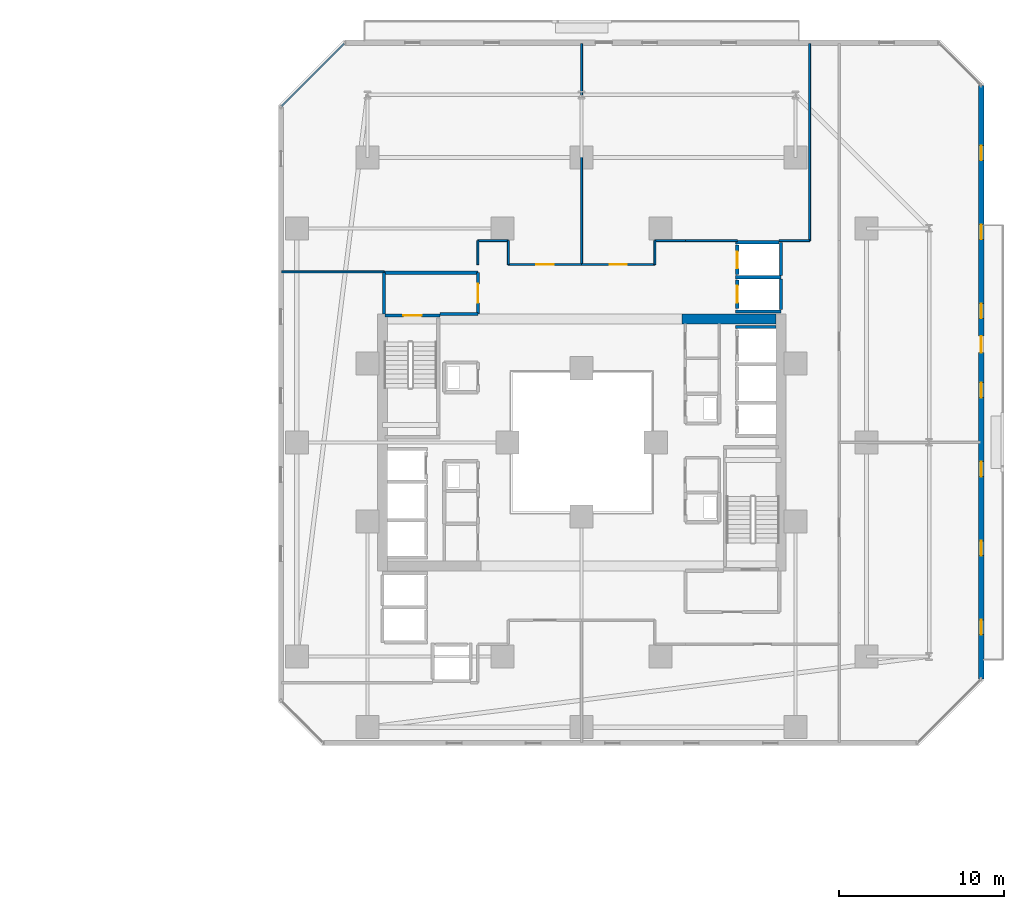
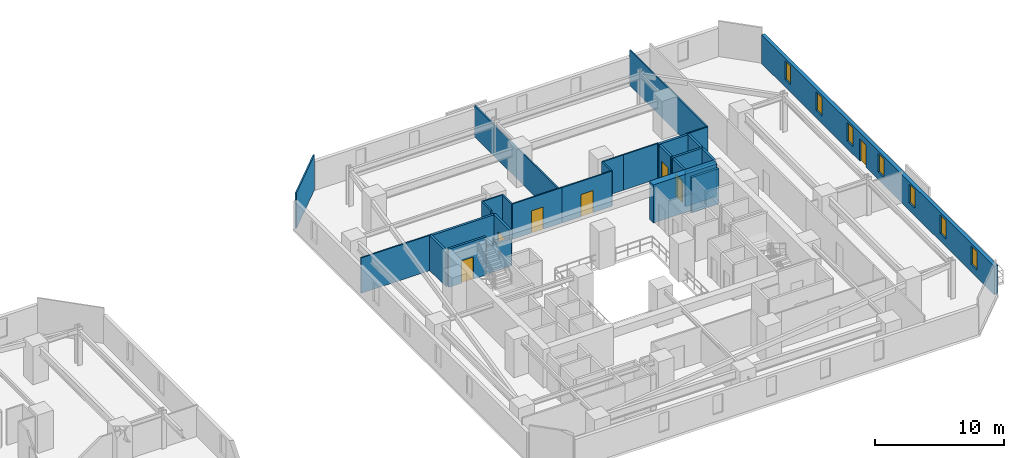
# One storey, part 26 of 34: 28 walls, 7 doors, 7 windows, 14 openings.
"""IFC4 building model written with IfcOpenShell, lengths in metres."""

import ifcopenshell
import ifcopenshell.guid

model = None  # the IFC model being written
_history = None  # IfcOwnerHistory: only IFC2X3 demands one
_inside = {}  # id of a spatial element -> (the spatial element, [elements in it])
_under = {}  # id of a project, library or spatial element -> (it, [spatial elements below it])
_declared = {}  # id of a project -> (the project, [libraries it declares])
_typed = {}  # id of a type object -> (the type object, [elements of that type])
_made_of = {}  # id of a material, layer set ... -> (it, [elements and type objects made of it])


def new_model(schema):
    """Start an empty IFC model of exactly this schema.

    Asked for "IFC4X3", IfcOpenShell would pick the latest addendum, in which some entities
    have other attributes; the version numbers below select the first issue.
    IFC2X3 requires an IfcOwnerHistory on every rooted entity: one is made here for all.
    """
    global model, _history
    if schema == "IFC4X3":
        model = ifcopenshell.file(schema_version=(4, 3, 0, 0))
    else:
        model = ifcopenshell.file(schema=schema)
    _inside.clear()
    _under.clear()
    _declared.clear()
    _typed.clear()
    _made_of.clear()
    _history = None
    if model.schema == "IFC2X3":
        org = make("IfcOrganization", Name="unknown")
        user = make(
            "IfcPersonAndOrganization",
            ThePerson=make("IfcPerson", FamilyName="unknown"),
            TheOrganization=org,
        )
        app = make(
            "IfcApplication",
            ApplicationDeveloper=org,
            Version="unknown",
            ApplicationFullName="unknown",
            ApplicationIdentifier="unknown",
        )
        _history = make(
            "IfcOwnerHistory",
            OwningUser=user,
            OwningApplication=app,
            ChangeAction="ADDED",
            CreationDate=0,
        )
    return model


def make(cls, **values):
    """One entity of the class cls with the attributes given. An attribute that is None is left unset."""
    return model.create_entity(
        cls, **{name: value for name, value in values.items() if value is not None}
    )


def rooted(cls, **values):
    """An entity with a GlobalId (a new one), such as an element, a storey or a relation."""
    return make(cls, GlobalId=ifcopenshell.guid.new(), OwnerHistory=_history, **values)


def si_unit(unit_type, name, prefix=None):
    """IfcSIUnit, for example si_unit("LENGTHUNIT", "METRE", prefix="MILLI")."""
    return make("IfcSIUnit", UnitType=unit_type, Prefix=prefix, Name=name)


def assignment(units):
    """IfcUnitAssignment: the units of a project."""
    return None if units is None else make("IfcUnitAssignment", Units=units)


def point(xyz):
    """IfcCartesianPoint."""
    return None if xyz is None else make("IfcCartesianPoint", Coordinates=xyz)


def direction(xyz):
    """IfcDirection."""
    return None if xyz is None else make("IfcDirection", DirectionRatios=xyz)


def frame(location, z_axis=None, x_axis=None):
    """IfcAxis2Placement3D, a coordinate frame: its origin and axes. An axis left out is left unset."""
    return make(
        "IfcAxis2Placement3D",
        Location=point(location),
        Axis=direction(z_axis),
        RefDirection=direction(x_axis),
    )


def frame_2d(location, x_axis=None):
    """IfcAxis2Placement2D, a coordinate frame in the plane: its origin and x axis."""
    return make(
        "IfcAxis2Placement2D", Location=point(location), RefDirection=direction(x_axis)
    )


def origin():
    """The frame at (0, 0, 0) with its axes left unset."""
    return frame((0.0, 0.0, 0.0))


def place(relative_to, where):
    """IfcLocalPlacement: puts the frame where relative to a parent placement (None: the world)."""
    return make(
        "IfcLocalPlacement", PlacementRelTo=relative_to, RelativePlacement=where
    )


def context(
    kind, dimensions, precision=None, world=None, true_north=None, identifier=None
):
    """IfcGeometricRepresentationContext, for example the 3D "Model" context."""
    return make(
        "IfcGeometricRepresentationContext",
        ContextIdentifier=identifier,
        ContextType=kind,
        CoordinateSpaceDimension=dimensions,
        Precision=precision,
        WorldCoordinateSystem=world,
        TrueNorth=true_north,
    )


def subcontext(parent, identifier, kind, view, scale=None):
    """IfcGeometricRepresentationSubContext, for example "Body" below "Model"."""
    return make(
        "IfcGeometricRepresentationSubContext",
        ContextIdentifier=identifier,
        ContextType=kind,
        ParentContext=parent,
        TargetScale=scale,
        TargetView=view,
    )


def project(units=None, contexts=None):
    """IfcProject with its units and contexts."""
    return rooted(
        "IfcProject",
        Name="project",
        RepresentationContexts=contexts,
        UnitsInContext=assignment(units),
    )


def spatial(cls, under=None, at=None, **own):
    """A site, building, storey or space (cls), placed at a placement, below another one or the project."""
    s = rooted(cls, ObjectPlacement=at, **own)
    if under is not None:
        _under.setdefault(under.id(), (under, []))[1].append(s)
    return s


def profile(cls, at=None, kind="AREA", **sizes):
    """A parametric profile (cls). Its sizes go by their IFC names, for example OverallWidth=200.0."""
    return make(cls, ProfileType=kind, Position=at, **sizes)


def rectangle(**sizes):
    """IfcRectangleProfileDef."""
    return profile("IfcRectangleProfileDef", **sizes)


def extrude(swept, where, along, depth):
    """IfcExtrudedAreaSolid: the profile swept, set in the frame where, extruded along a direction by depth."""
    return make(
        "IfcExtrudedAreaSolid",
        SweptArea=swept,
        Position=where,
        ExtrudedDirection=direction(along),
        Depth=depth,
    )


def shape(context_of_items, identifier, shape_type, items):
    """IfcShapeRepresentation: the items that make up one representation, for example the "Body"."""
    return make(
        "IfcShapeRepresentation",
        ContextOfItems=context_of_items,
        RepresentationIdentifier=identifier,
        RepresentationType=shape_type,
        Items=items,
    )


def material(Name=None, Category=None):
    """IfcMaterial."""
    return make("IfcMaterial", Name=Name, Category=Category)


def layer(
    of_material, thickness, ventilated=None, Name=None, Category=None, Priority=None
):
    """IfcMaterialLayer: one layer of a wall or slab, of a material (None: an air gap)."""
    return make(
        "IfcMaterialLayer",
        Material=of_material,
        LayerThickness=thickness,
        IsVentilated=ventilated,
        Name=Name,
        Category=Category,
        Priority=Priority,
    )


def layer_set(layers, Name=None):
    """IfcMaterialLayerSet."""
    return make("IfcMaterialLayerSet", MaterialLayers=layers, LayerSetName=Name)


def made_of(thing, what):
    """Note that an element or type object is made of a material, layer set ...; save() writes the relation."""
    if what is not None:
        _made_of.setdefault(what.id(), (what, []))[1].append(thing)
    return thing


def type_object(cls, material=None, **own):
    """A type object (cls), such as IfcWallType, which elements share."""
    return made_of(rooted(cls, **own), material)


def element(
    cls,
    number,
    at=None,
    inside=None,
    cuts=None,
    type_object=None,
    material=None,
    context=None,
    identifier="Body",
    shape_type=None,
    held_by="IfcProductDefinitionShape",
    body=None,
    shapes=None,
    **own,
):
    """One element of the class cls, such as IfcWall. Its Tag is "e" and its number.

    at: its placement. inside: the storey or other place that contains it. cuts: it is an
    opening in that element (IfcRelVoidsElement). A single representation is given by context,
    identifier, shape_type and body (its items); several are given by shapes. held_by: the class
    of the entity that holds the representations. save() writes the other relations.
    """
    e = rooted(cls, Tag="e%d" % number, ObjectPlacement=at, **own)
    if body is not None:
        shapes = [shape(context, identifier, shape_type, body)]
    if shapes is not None:
        e.Representation = make(held_by, Representations=shapes)
    if inside is not None:
        _inside.setdefault(inside.id(), (inside, []))[1].append(e)
    if cuts is not None:
        rooted(
            "IfcRelVoidsElement", RelatingBuildingElement=cuts, RelatedOpeningElement=e
        )
    if type_object is not None:
        _typed.setdefault(type_object.id(), (type_object, []))[1].append(e)
    return made_of(e, material)


def fill(opening, filler):
    """IfcRelFillsElement: the door or window that sits in an opening."""
    return rooted(
        "IfcRelFillsElement",
        RelatingOpeningElement=opening,
        RelatedBuildingElement=filler,
    )


def aggregate(whole, parts):
    """IfcRelAggregates: a whole, such as a stair, and the parts it consists of."""
    return rooted("IfcRelAggregates", RelatingObject=whole, RelatedObjects=parts)


def save(model, path):
    """Write the relations noted so far, then the file.

    IfcRelAggregates (storeys below a building ...), IfcRelContainedInSpatialStructure (elements
    in a storey), IfcRelDefinesByType, IfcRelAssociatesMaterial and IfcRelDeclares: one each for
    every whole, place, type object, material and project.
    """
    for whole, parts in _under.values():
        aggregate(whole, parts)
    for where, things in _inside.values():
        rooted(
            "IfcRelContainedInSpatialStructure",
            RelatedElements=things,
            RelatingStructure=where,
        )
    for kind, things in _typed.values():
        rooted("IfcRelDefinesByType", RelatedObjects=things, RelatingType=kind)
    for what, things in _made_of.values():
        rooted("IfcRelAssociatesMaterial", RelatedObjects=things, RelatingMaterial=what)
    for by, libraries in _declared.values():
        rooted("IfcRelDeclares", RelatingContext=by, RelatedDefinitions=libraries)
    model.write(path)


model = new_model("IFC4")

# Units and contexts
model_context = context("Model", 3, precision=1e-05, world=origin(), true_north=direction((0.0, 1.0)))
body_context = subcontext(model_context, "Body", "Model", "MODEL_VIEW")
ifc_project = project(units=[si_unit("LENGTHUNIT", "METRE"), si_unit("AREAUNIT", "SQUARE_METRE"), si_unit("VOLUMEUNIT", "CUBIC_METRE"), si_unit("PLANEANGLEUNIT", "RADIAN"), si_unit("MASSUNIT", "GRAM", prefix="KILO")], contexts=[model_context])

# Site, building, storey
site_placement = place(None, origin())
site = spatial("IfcSite", under=ifc_project, at=site_placement, CompositionType="ELEMENT")
building_placement = place(site_placement, origin())
building = spatial("IfcBuilding", under=site, at=building_placement, Name="Thornwick Lancets Civic Towers", CompositionType="ELEMENT")
storey_placement = place(building_placement, frame((0.0, 0.0, 53.699951171875)))
storey = spatial("IfcBuildingStorey", under=building, at=storey_placement, Name="L13", CompositionType="ELEMENT", Elevation=53.699951171875)

# Wall, opening, door
ifc_material_1 = material(Name="Concrete blockwork C40/50", Category="masonry")
ifc_layer_1 = layer(ifc_material_1, 0.199951171875, Name="Concrete blockwork C40/50")
ifc_layer_set_1 = layer_set([ifc_layer_1], Name="Concrete blockwork C40/50")
wall_type_1 = type_object("IfcWallType", Name="WALL_COMP_200", PredefinedType="STANDARD", material=ifc_layer_set_1)
wall_1_placement = place(storey_placement, frame((97.949951171875, 36.8701171875, 0.0), z_axis=(0.0, 0.0, 1.0), x_axis=(0.0, -1.0, 0.0)))
wall_1 = element("IfcWall", 1, at=wall_1_placement, inside=storey, type_object=wall_type_1, Name="L13 Hoistway Front Wall PL-BL2", PredefinedType="STANDARD", context=body_context, shape_type="SweptSolid", body=[
    extrude(rectangle(XDim=1.740234375, YDim=0.199951171875, at=frame_2d((0.8701171875, 0.0))), origin(), (0.0, 0.0, 1.0), 3.340087890625),
])
opening_1_placement = place(wall_1_placement, frame((0.360107421875, 0.0, 0.0)))
opening_1 = element("IfcOpeningElement", 2, at=opening_1_placement, cuts=wall_1, Name="Opening LD-PL-BL2", PredefinedType="OPENING", context=body_context, shape_type="SweptSolid", body=[
    extrude(rectangle(XDim=1.02001953125, YDim=2.06005859375, at=frame_2d((0.510009765625, 1.030029296875))), frame((0.0, 0.10986328125, 0.0), z_axis=(0.0, -1.0, 0.0), x_axis=(1.0, 0.0, 0.0)), (0.0, 0.0, 1.0), 0.219970703125),
])
ifc_material_2 = material(Name="Brushed bronze stainless steel", Category="steel")
door_type_1 = type_object("IfcDoorType", Name="DOOR_LIFT_SLIDE", OperationType="SLIDING_TO_LEFT", PredefinedType="DOOR", material=ifc_material_2)
door_1_placement = place(opening_1_placement, origin())
door_1 = element("IfcDoor", 3, at=door_1_placement, inside=storey, type_object=door_type_1, Name="L13 Sliding Lift Landing Door LD-PL-BL2", OperationType="SLIDING_TO_LEFT", OverallHeight=2.06005859375, OverallWidth=1.02001953125, PredefinedType="DOOR", context=body_context, shape_type="SweptSolid", body=[
    extrude(rectangle(XDim=1.02001953125, YDim=2.06005859375, at=frame_2d((0.510009765625, 1.030029296875))), frame((0.0, 0.02490234375, 0.0), z_axis=(0.0, -1.0, 0.0), x_axis=(1.0, 0.0, 0.0)), (0.0, 0.0, 1.0), 0.050048828125),
])
fill(opening_1, door_1)

wall_2_placement = place(storey_placement, frame((97.949951171875, 38.969970703125, 0.0), z_axis=(0.0, 0.0, 1.0), x_axis=(0.0, -1.0, 0.0)))
wall_2 = element("IfcWall", 4, at=wall_2_placement, inside=storey, type_object=wall_type_1, Name="L13 Hoistway Front Wall PL-BL3", PredefinedType="STANDARD", context=body_context, shape_type="SweptSolid", body=[
    extrude(rectangle(XDim=1.7900390625, YDim=0.199951171875, at=frame_2d((0.89501953125, 0.0))), origin(), (0.0, 0.0, 1.0), 3.340087890625),
])
opening_2_placement = place(wall_2_placement, frame((0.385009765625, 0.0, 0.0)))
opening_2 = element("IfcOpeningElement", 5, at=opening_2_placement, cuts=wall_2, Name="Opening LD-PL-BL3", PredefinedType="OPENING", context=body_context, shape_type="SweptSolid", body=[
    extrude(rectangle(XDim=1.02001953125, YDim=2.06005859375, at=frame_2d((0.510009765625, 1.030029296875))), frame((0.0, 0.10986328125, 0.0), z_axis=(0.0, -1.0, 0.0), x_axis=(1.0, 0.0, 0.0)), (0.0, 0.0, 1.0), 0.219970703125),
])
door_2_placement = place(opening_2_placement, origin())
door_2 = element("IfcDoor", 6, at=door_2_placement, inside=storey, type_object=door_type_1, Name="L13 Sliding Lift Landing Door LD-PL-BL3", OperationType="SLIDING_TO_LEFT", OverallHeight=2.06005859375, OverallWidth=1.02001953125, PredefinedType="DOOR", context=body_context, shape_type="SweptSolid", body=[
    extrude(rectangle(XDim=1.02001953125, YDim=2.06005859375, at=frame_2d((0.510009765625, 1.030029296875))), frame((0.0, 0.02490234375, 0.0), z_axis=(0.0, -1.0, 0.0), x_axis=(1.0, 0.0, 0.0)), (0.0, 0.0, 1.0), 0.050048828125),
])
fill(opening_2, door_2)

# Walls
wall_3_placement = place(storey_placement, frame((97.85205078125, 34.0, 0.0), z_axis=(0.0, 0.0, 1.0), x_axis=(1.0, 0.0, 0.0)))
element("IfcWall", 7, at=wall_3_placement, inside=storey, type_object=wall_type_1, Name="L13 Hoistway Shaft Wall PL-BL1 N", PredefinedType="STANDARD", context=body_context, shape_type="SweptSolid", body=[
    extrude(rectangle(XDim=2.43603515625, YDim=0.199951171875, at=frame_2d((1.218017578125, 0.0))), origin(), (0.0, 0.0, 1.0), 3.340087890625),
])
for number, where, z_axis, x_axis, name in (
    (8, (97.85205078125, 37.02490234375, 0.0), (0.0, 0.0, 1.0), (1.0, 0.0, 0.0), "L13 Hoistway Shaft Wall PL-BL2 N"),
    (9, (97.85205078125, 34.949951171875, 0.0), (0.0, 0.0, 1.0), (1.0, 0.0, 0.0), "L13 Hoistway Shaft Wall PL-BL2 S"),
):
    element("IfcWall", number, at=place(storey_placement, frame(where, z_axis=z_axis, x_axis=x_axis)), inside=storey, type_object=wall_type_1, Name=name, PredefinedType="STANDARD", context=body_context, shape_type="SweptSolid", body=[
        extrude(rectangle(XDim=2.745849609375, YDim=0.199951171875, at=frame_2d((1.373046875, 0.0))), origin(), (0.0, 0.0, 1.0), 3.340087890625),
    ])
wall_4_placement = place(storey_placement, frame((100.60009765625, 35.06201171875, 0.0), z_axis=(0.0, 0.0, 1.0), x_axis=(0.0, 1.0, 0.0)))
element("IfcWall", 10, at=wall_4_placement, inside=storey, type_object=wall_type_1, Name="L13 Hoistway Shaft Wall PL-BL2 E", PredefinedType="STANDARD", context=body_context, shape_type="SweptSolid", body=[
    extrude(rectangle(XDim=1.85595703125, YDim=0.199951171875, at=frame_2d((0.927978515625, 0.0))), origin(), (0.0, 0.0, 1.0), 3.340087890625),
])
wall_5_placement = place(storey_placement, frame((100.60009765625, 37.132080078125, 0.0), z_axis=(0.0, 0.0, 1.0), x_axis=(0.0, 1.0, 0.0)))
element("IfcWall", 11, at=wall_5_placement, inside=storey, type_object=wall_type_1, Name="L13 Hoistway Shaft Wall PL-BL2 E", PredefinedType="STANDARD", context=body_context, shape_type="SweptSolid", body=[
    extrude(rectangle(XDim=2.015869140625, YDim=0.199951171875, at=frame_2d((1.0078125, 0.0))), origin(), (0.0, 0.0, 1.0), 3.340087890625),
])
wall_6_placement = place(storey_placement, frame((97.85205078125, 39.14990234375, 0.0), z_axis=(0.0, 0.0, 1.0), x_axis=(1.0, 0.0, 0.0)))
element("IfcWall", 12, at=wall_6_placement, inside=storey, type_object=wall_type_1, Name="L13 Hoistway Shaft Wall PL-BL3 N", PredefinedType="STANDARD", context=body_context, shape_type="SweptSolid", body=[
    extrude(rectangle(XDim=2.635986328125, YDim=0.199951171875, at=frame_2d((1.31787109375, 0.0))), origin(), (0.0, 0.0, 1.0), 3.340087890625),
])
wall_7_placement = place(storey_placement, frame((79.89990234375, 34.800048828125, 0.0), z_axis=(0.0, 0.0, 1.0), x_axis=(1.0, 0.0, 0.0)))
element("IfcWall", 13, at=wall_7_placement, inside=storey, type_object=wall_type_1, Name="L13 Partition L13-B-FFLOB2 E1", PredefinedType="STANDARD", context=body_context, shape_type="SweptSolid", body=[
    extrude(rectangle(XDim=2.300048828125, YDim=0.199951171875, at=frame_2d((1.14990234375, 0.0))), origin(), (0.0, 0.0, 1.0), 2.545166015625),
])

# Wall, opening, door
wall_8_placement = place(storey_placement, frame((82.199951171875, 34.800048828125, 0.0), z_axis=(0.0, 0.0, 1.0), x_axis=(0.0, 1.0, 0.0)))
wall_8 = element("IfcWall", 14, at=wall_8_placement, inside=storey, type_object=wall_type_1, Name="L13 Partition L13-B-FFLOB2 E2", PredefinedType="STANDARD", context=body_context, shape_type="SweptSolid", body=[
    extrude(rectangle(XDim=2.5, YDim=0.199951171875, at=frame_2d((1.25, 0.0))), origin(), (0.0, 0.0, 1.0), 3.340087890625),
])
opening_3_placement = place(wall_8_placement, frame((0.675048828125, 0.0, 0.0)))
opening_3 = element("IfcOpeningElement", 15, at=opening_3_placement, cuts=wall_8, Name="Opening D-L13-0637", PredefinedType="OPENING", context=body_context, shape_type="SweptSolid", body=[
    extrude(rectangle(XDim=1.14990234375, YDim=2.10009765625, at=frame_2d((0.574951171875, 1.050048828125))), frame((0.0, 0.10986328125, 0.0), z_axis=(0.0, -1.0, 0.0), x_axis=(1.0, 0.0, 0.0)), (0.0, 0.0, 1.0), 0.219970703125),
])
ifc_material_3 = material(Name="Glazed fire-resisting steel", Category="steel")
door_type_2 = type_object("IfcDoorType", Name="DOOR_LOBBY_FD60", OperationType="NOTDEFINED", PredefinedType="DOOR", material=ifc_material_3)
door_3_placement = place(opening_3_placement, origin())
door_3 = element("IfcDoor", 16, at=door_3_placement, inside=storey, type_object=door_type_2, Name="L13 West Firefighting Lobby 2 Door", OperationType="SINGLE_SWING_RIGHT", OverallHeight=2.10009765625, OverallWidth=1.14990234375, PredefinedType="DOOR", context=body_context, shape_type="SweptSolid", body=[
    extrude(rectangle(XDim=1.14990234375, YDim=2.10009765625, at=frame_2d((0.574951171875, 1.050048828125))), frame((0.0, 0.02490234375, 0.0), z_axis=(0.0, -1.0, 0.0), x_axis=(1.0, 0.0, 0.0)), (0.0, 0.0, 1.0), 0.050048828125),
])
fill(opening_3, door_3)

# Walls
wall_9_placement = place(storey_placement, frame((82.199951171875, 37.300048828125, 0.0), z_axis=(0.0, 0.0, 1.0), x_axis=(-1.0, 0.0, 0.0)))
element("IfcWall", 17, at=wall_9_placement, inside=storey, type_object=wall_type_1, Name="L13 Partition L13-B-FFLOB2 E3", PredefinedType="STANDARD", context=body_context, shape_type="SweptSolid", body=[
    extrude(rectangle(XDim=5.699951171875, YDim=0.199951171875, at=frame_2d((2.85009765625, 0.0))), origin(), (0.0, 0.0, 1.0), 3.340087890625),
])
wall_10_placement = place(storey_placement, frame((76.5, 37.300048828125, 0.0), z_axis=(0.0, 0.0, 1.0), x_axis=(0.0, -1.0, 0.0)))
element("IfcWall", 18, at=wall_10_placement, inside=storey, type_object=wall_type_1, Name="L13 Partition L13-B-FFLOB2 E4", PredefinedType="STANDARD", context=body_context, shape_type="SweptSolid", body=[
    extrude(rectangle(XDim=2.5, YDim=0.199951171875, at=frame_2d((1.25, 0.0))), origin(), (0.0, 0.0, 1.0), 3.340087890625),
])
ifc_material_4 = material(Name="Concrete C60/75", Category="concrete")
ifc_layer_2 = layer(ifc_material_4, 0.60009765625, Name="Concrete C60/75")
ifc_layer_set_2 = layer_set([ifc_layer_2], Name="Concrete C60/75")
wall_type_2 = type_object("IfcWallType", Name="WALL_CORE_600", PredefinedType="SHEAR", material=ifc_layer_set_2)
wall_11_placement = place(storey_placement, frame((94.60009765625, 34.5, 0.0), z_axis=(0.0, 0.0, 1.0), x_axis=(1.0, 0.0, 0.0)))
element("IfcWall", 19, at=wall_11_placement, inside=storey, type_object=wall_type_2, Name="L13 Split Core B1 Shear Wall N", PredefinedType="SHEAR", context=body_context, shape_type="SweptSolid", body=[
    extrude(rectangle(XDim=5.699951171875, YDim=0.60009765625, at=frame_2d((2.85009765625, 0.0))), origin(), (0.0, 0.0, 1.0), 3.60009765625),
])

# Wall, openings, door, windows
ifc_material_5 = material(Name="Insulated buff terracotta rainscreen on concrete C40/50", Category="masonry")
ifc_layer_3 = layer(ifc_material_5, 0.320068359375, Name="Insulated buff terracotta rainscreen on concrete C40/50")
ifc_layer_set_3 = layer_set([ifc_layer_3], Name="Insulated buff terracotta rainscreen on concrete C40/50")
wall_type_3 = type_object("IfcWallType", Name="WALL_EXT_TERRA_320", PredefinedType="STANDARD", material=ifc_layer_set_3)
wall_12_placement = place(storey_placement, frame((112.760498046875, 12.622802734375, 0.0), z_axis=(0.0, 0.0, 1.0), x_axis=(0.000121872777, 0.999999992574, 0.0)))
wall_12 = element("IfcWall", 20, at=wall_12_placement, inside=storey, type_object=wall_type_3, Name="L13 Tower B Terracotta Facade Wall E2", PredefinedType="STANDARD", context=body_context, shape_type="SweptSolid", body=[
    extrude(rectangle(XDim=36.058349609375, YDim=0.320068359375, at=frame_2d((18.029296875, 0.0))), origin(), (0.0, 0.0, 1.0), 2.699951171875),
])
opening_4_placement = place(wall_12_placement, frame((19.8291015625, 0.0, 0.0)))
opening_4 = element("IfcOpeningElement", 21, at=opening_4_placement, cuts=wall_12, Name="Opening D-BL-L13-BE", PredefinedType="OPENING", context=body_context, shape_type="SweptSolid", body=[
    extrude(rectangle(XDim=1.0, YDim=2.080078125, at=frame_2d((0.5, 1.0400390625))), frame((0.0, 0.169921875, 0.0), z_axis=(0.0, -1.0, 0.0), x_axis=(1.0, 0.0, 0.0)), (0.0, 0.0, 1.0), 0.340087890625),
])
opening_5_placement = place(wall_12_placement, frame((2.699951171875, 0.0, 0.719970703125)))
opening_5 = element("IfcOpeningElement", 22, at=opening_5_placement, cuts=wall_12, Name="Opening WL-01", PredefinedType="OPENING", context=body_context, shape_type="SweptSolid", body=[
    extrude(rectangle(XDim=0.89990234375, YDim=1.75, at=frame_2d((0.449951171875, 0.875))), frame((0.0, 0.169921875, 0.0), z_axis=(0.0, -1.0, 0.0), x_axis=(1.0, 0.0, 0.0)), (0.0, 0.0, 1.0), 0.340087890625),
])
opening_6_placement = place(wall_12_placement, frame((7.5, 0.0, 0.719970703125)))
opening_6 = element("IfcOpeningElement", 23, at=opening_6_placement, cuts=wall_12, Name="Opening WL-01", PredefinedType="OPENING", context=body_context, shape_type="SweptSolid", body=[
    extrude(rectangle(XDim=0.89990234375, YDim=1.75, at=frame_2d((0.449951171875, 0.875))), frame((0.0, 0.169921875, 0.0), z_axis=(0.0, -1.0, 0.0), x_axis=(1.0, 0.0, 0.0)), (0.0, 0.0, 1.0), 0.340087890625),
])
opening_7_placement = place(wall_12_placement, frame((12.300048828125, 0.0, 0.719970703125)))
opening_7 = element("IfcOpeningElement", 24, at=opening_7_placement, cuts=wall_12, Name="Opening WL-01", PredefinedType="OPENING", context=body_context, shape_type="SweptSolid", body=[
    extrude(rectangle(XDim=0.89990234375, YDim=1.75, at=frame_2d((0.449951171875, 0.875))), frame((0.0, 0.169921875, 0.0), z_axis=(0.0, -1.0, 0.0), x_axis=(1.0, 0.0, 0.0)), (0.0, 0.0, 1.0), 0.340087890625),
])
opening_8_placement = place(wall_12_placement, frame((17.10009765625, 0.0, 0.719970703125)))
opening_8 = element("IfcOpeningElement", 25, at=opening_8_placement, cuts=wall_12, Name="Opening WL-01", PredefinedType="OPENING", context=body_context, shape_type="SweptSolid", body=[
    extrude(rectangle(XDim=0.89990234375, YDim=1.75, at=frame_2d((0.449951171875, 0.875))), frame((0.0, 0.169921875, 0.0), z_axis=(0.0, -1.0, 0.0), x_axis=(1.0, 0.0, 0.0)), (0.0, 0.0, 1.0), 0.340087890625),
])
opening_9_placement = place(wall_12_placement, frame((21.89990234375, 0.0, 0.719970703125)))
opening_9 = element("IfcOpeningElement", 26, at=opening_9_placement, cuts=wall_12, Name="Opening WL-01", PredefinedType="OPENING", context=body_context, shape_type="SweptSolid", body=[
    extrude(rectangle(XDim=0.89990234375, YDim=1.75, at=frame_2d((0.449951171875, 0.875))), frame((0.0, 0.169921875, 0.0), z_axis=(0.0, -1.0, 0.0), x_axis=(1.0, 0.0, 0.0)), (0.0, 0.0, 1.0), 0.340087890625),
])
opening_10_placement = place(wall_12_placement, frame((26.699951171875, 0.0, 0.719970703125)))
opening_10 = element("IfcOpeningElement", 27, at=opening_10_placement, cuts=wall_12, Name="Opening WL-01", PredefinedType="OPENING", context=body_context, shape_type="SweptSolid", body=[
    extrude(rectangle(XDim=0.89990234375, YDim=1.75, at=frame_2d((0.449951171875, 0.875))), frame((0.0, 0.169921875, 0.0), z_axis=(0.0, -1.0, 0.0), x_axis=(1.0, 0.0, 0.0)), (0.0, 0.0, 1.0), 0.340087890625),
])
opening_11_placement = place(wall_12_placement, frame((31.5, 0.0, 0.719970703125)))
opening_11 = element("IfcOpeningElement", 28, at=opening_11_placement, cuts=wall_12, Name="Opening WL-01", PredefinedType="OPENING", context=body_context, shape_type="SweptSolid", body=[
    extrude(rectangle(XDim=0.89990234375, YDim=1.75, at=frame_2d((0.449951171875, 0.875))), frame((0.0, 0.169921875, 0.0), z_axis=(0.0, -1.0, 0.0), x_axis=(1.0, 0.0, 0.0)), (0.0, 0.0, 1.0), 0.340087890625),
])
ifc_material_6 = material(Name="Thermally broken glazed loggia doorset")
door_type_3 = type_object("IfcDoorType", Name="DOOR_BALC_1000", OperationType="NOTDEFINED", PredefinedType="DOOR", material=ifc_material_6)
door_4_placement = place(opening_4_placement, origin())
door_4 = element("IfcDoor", 29, at=door_4_placement, inside=storey, type_object=door_type_3, Name="L13 Tower B Loggia Balcony Door E", OperationType="SINGLE_SWING_RIGHT", OverallHeight=2.080078125, OverallWidth=1.0, PredefinedType="DOOR", context=body_context, shape_type="SweptSolid", body=[
    extrude(rectangle(XDim=1.0, YDim=2.080078125, at=frame_2d((0.5, 1.0400390625))), frame((0.0, 0.02490234375, 0.0), z_axis=(0.0, -1.0, 0.0), x_axis=(1.0, 0.0, 0.0)), (0.0, 0.0, 1.0), 0.050048828125),
])
fill(opening_4, door_4)
ifc_material_7 = material(Name="Clear low-e double glazing in bronze frame", Category="glass")
window_type = type_object("IfcWindowType", Name="WIN_LANCET_900", PartitioningType="SINGLE_PANEL", PredefinedType="WINDOW", material=ifc_material_7)
window_1_placement = place(opening_5_placement, origin())
window_1 = element("IfcWindow", 30, at=window_1_placement, inside=storey, type_object=window_type, Name="L13 Tower B Staggered Lancet Window E2-1", OverallHeight=1.75, OverallWidth=0.89990234375, PartitioningType="SINGLE_PANEL", PredefinedType="WINDOW", context=body_context, shape_type="SweptSolid", body=[
    extrude(rectangle(XDim=0.89990234375, YDim=1.75, at=frame_2d((0.449951171875, 0.875))), frame((0.0, 0.030029296875, 0.0), z_axis=(0.0, -1.0, 0.0), x_axis=(1.0, 0.0, 0.0)), (0.0, 0.0, 1.0), 0.06005859375),
])
fill(opening_5, window_1)
window_2_placement = place(opening_6_placement, origin())
window_2 = element("IfcWindow", 31, at=window_2_placement, inside=storey, type_object=window_type, Name="L13 Tower B Staggered Lancet Window E2-2", OverallHeight=1.75, OverallWidth=0.89990234375, PartitioningType="SINGLE_PANEL", PredefinedType="WINDOW", context=body_context, shape_type="SweptSolid", body=[
    extrude(rectangle(XDim=0.89990234375, YDim=1.75, at=frame_2d((0.449951171875, 0.875))), frame((0.0, 0.030029296875, 0.0), z_axis=(0.0, -1.0, 0.0), x_axis=(1.0, 0.0, 0.0)), (0.0, 0.0, 1.0), 0.06005859375),
])
fill(opening_6, window_2)
window_3_placement = place(opening_7_placement, origin())
window_3 = element("IfcWindow", 32, at=window_3_placement, inside=storey, type_object=window_type, Name="L13 Tower B Staggered Lancet Window E2-3", OverallHeight=1.75, OverallWidth=0.89990234375, PartitioningType="SINGLE_PANEL", PredefinedType="WINDOW", context=body_context, shape_type="SweptSolid", body=[
    extrude(rectangle(XDim=0.89990234375, YDim=1.75, at=frame_2d((0.449951171875, 0.875))), frame((0.0, 0.030029296875, 0.0), z_axis=(0.0, -1.0, 0.0), x_axis=(1.0, 0.0, 0.0)), (0.0, 0.0, 1.0), 0.06005859375),
])
fill(opening_7, window_3)
window_4_placement = place(opening_8_placement, origin())
window_4 = element("IfcWindow", 33, at=window_4_placement, inside=storey, type_object=window_type, Name="L13 Tower B Staggered Lancet Window E2-4", OverallHeight=1.75, OverallWidth=0.89990234375, PartitioningType="SINGLE_PANEL", PredefinedType="WINDOW", context=body_context, shape_type="SweptSolid", body=[
    extrude(rectangle(XDim=0.89990234375, YDim=1.75, at=frame_2d((0.449951171875, 0.875))), frame((0.0, 0.030029296875, 0.0), z_axis=(0.0, -1.0, 0.0), x_axis=(1.0, 0.0, 0.0)), (0.0, 0.0, 1.0), 0.06005859375),
])
fill(opening_8, window_4)
window_5_placement = place(opening_9_placement, origin())
window_5 = element("IfcWindow", 34, at=window_5_placement, inside=storey, type_object=window_type, Name="L13 Tower B Staggered Lancet Window E2-5", OverallHeight=1.75, OverallWidth=0.89990234375, PartitioningType="SINGLE_PANEL", PredefinedType="WINDOW", context=body_context, shape_type="SweptSolid", body=[
    extrude(rectangle(XDim=0.89990234375, YDim=1.75, at=frame_2d((0.449951171875, 0.875))), frame((0.0, 0.030029296875, 0.0), z_axis=(0.0, -1.0, 0.0), x_axis=(1.0, 0.0, 0.0)), (0.0, 0.0, 1.0), 0.06005859375),
])
fill(opening_9, window_5)
window_6_placement = place(opening_10_placement, origin())
window_6 = element("IfcWindow", 35, at=window_6_placement, inside=storey, type_object=window_type, Name="L13 Tower B Staggered Lancet Window E2-6", OverallHeight=1.75, OverallWidth=0.89990234375, PartitioningType="SINGLE_PANEL", PredefinedType="WINDOW", context=body_context, shape_type="SweptSolid", body=[
    extrude(rectangle(XDim=0.89990234375, YDim=1.75, at=frame_2d((0.449951171875, 0.875))), frame((0.0, 0.030029296875, 0.0), z_axis=(0.0, -1.0, 0.0), x_axis=(1.0, 0.0, 0.0)), (0.0, 0.0, 1.0), 0.06005859375),
])
fill(opening_10, window_6)
window_7_placement = place(opening_11_placement, origin())
window_7 = element("IfcWindow", 36, at=window_7_placement, inside=storey, type_object=window_type, Name="L13 Tower B Staggered Lancet Window E2-7", OverallHeight=1.75, OverallWidth=0.89990234375, PartitioningType="SINGLE_PANEL", PredefinedType="WINDOW", context=body_context, shape_type="SweptSolid", body=[
    extrude(rectangle(XDim=0.89990234375, YDim=1.75, at=frame_2d((0.449951171875, 0.875))), frame((0.0, 0.030029296875, 0.0), z_axis=(0.0, -1.0, 0.0), x_axis=(1.0, 0.0, 0.0)), (0.0, 0.0, 1.0), 0.06005859375),
])
fill(opening_11, window_7)

# Walls
ifc_material_8 = material(Name="Acoustic gypsum board partition")
ifc_layer_4 = layer(ifc_material_8, 0.1201171875, Name="Acoustic gypsum board partition")
ifc_layer_set_4 = layer_set([ifc_layer_4], Name="Acoustic gypsum board partition")
wall_type_4 = type_object("IfcWallType", Name="WALL_PART_120", PredefinedType="PARTITIONING", material=ifc_layer_set_4)
wall_13_placement = place(storey_placement, frame((97.949951171875, 39.25, 0.0), z_axis=(0.0, 0.0, 1.0), x_axis=(-1.0, 0.0, 0.0)))
element("IfcWall", 37, at=wall_13_placement, inside=storey, type_object=wall_type_4, Name="L13 Partition L13-B-E1 E1", PredefinedType="PARTITIONING", context=body_context, shape_type="SweptSolid", body=[
    extrude(rectangle(XDim=3.14990234375, YDim=0.1201171875, at=frame_2d((1.574951171875, 0.0))), origin(), (0.0, 0.0, 1.0), 3.340087890625),
])
wall_14_placement = place(storey_placement, frame((94.800048828125, 39.25, 0.0), z_axis=(0.0, 0.0, 1.0), x_axis=(-1.0, 0.0, 0.0)))
element("IfcWall", 38, at=wall_14_placement, inside=storey, type_object=wall_type_4, Name="L13 Partition L13-B-E1 E2", PredefinedType="PARTITIONING", context=body_context, shape_type="SweptSolid", body=[
    extrude(rectangle(XDim=1.85009765625, YDim=0.1201171875, at=frame_2d((0.925048828125, 0.0))), origin(), (0.0, 0.0, 1.0), 3.340087890625),
])
wall_15_placement = place(storey_placement, frame((92.949951171875, 39.25, 0.0), z_axis=(0.0, 0.0, 1.0), x_axis=(0.0, -1.0, 0.0)))
element("IfcWall", 39, at=wall_15_placement, inside=storey, type_object=wall_type_4, Name="L13 Partition L13-B-E1 E3", PredefinedType="PARTITIONING", context=body_context, shape_type="SweptSolid", body=[
    extrude(rectangle(XDim=1.449951171875, YDim=0.1201171875, at=frame_2d((0.72509765625, 0.0))), origin(), (0.0, 0.0, 1.0), 3.340087890625),
])

# Wall, opening, door
wall_16_placement = place(storey_placement, frame((92.949951171875, 37.800048828125, 0.0), z_axis=(0.0, 0.0, 1.0), x_axis=(-1.0, 0.0, 0.0)))
wall_16 = element("IfcWall", 40, at=wall_16_placement, inside=storey, type_object=wall_type_4, Name="L13 Partition L13-B-E1 E4", PredefinedType="PARTITIONING", context=body_context, shape_type="SweptSolid", body=[
    extrude(rectangle(XDim=4.449951171875, YDim=0.1201171875, at=frame_2d((2.22509765625, 0.0))), origin(), (0.0, 0.0, 1.0), 3.340087890625),
])
opening_12_placement = place(wall_16_placement, frame((1.699951171875, 0.0, 0.0)))
opening_12 = element("IfcOpeningElement", 41, at=opening_12_placement, cuts=wall_16, Name="Opening D-L13-0655", PredefinedType="OPENING", context=body_context, shape_type="SweptSolid", body=[
    extrude(rectangle(XDim=1.050048828125, YDim=2.10009765625, at=frame_2d((0.52490234375, 1.050048828125))), frame((0.0, 0.070068359375, 0.0), z_axis=(0.0, -1.0, 0.0), x_axis=(1.0, 0.0, 0.0)), (0.0, 0.0, 1.0), 0.14013671875),
])
ifc_material_9 = material(Name="Glazed European oak executive doorset")
door_type_4 = type_object("IfcDoorType", Name="DOOR_OFFICE_1050", OperationType="NOTDEFINED", PredefinedType="DOOR", material=ifc_material_9)
door_5_placement = place(opening_12_placement, origin())
door_5 = element("IfcDoor", 42, at=door_5_placement, inside=storey, type_object=door_type_4, Name="L13 Tower B Secretariat Open Office E1 Door", OperationType="SINGLE_SWING_RIGHT", OverallHeight=2.10009765625, OverallWidth=1.050048828125, PredefinedType="DOOR", context=body_context, shape_type="SweptSolid", body=[
    extrude(rectangle(XDim=1.050048828125, YDim=2.10009765625, at=frame_2d((0.52490234375, 1.050048828125))), frame((0.0, 0.02490234375, 0.0), z_axis=(0.0, -1.0, 0.0), x_axis=(1.0, 0.0, 0.0)), (0.0, 0.0, 1.0), 0.050048828125),
])
fill(opening_12, door_5)

# Walls
wall_17_placement = place(storey_placement, frame((88.5, 37.800048828125, 0.0), z_axis=(0.0, 0.0, 1.0), x_axis=(0.0, 1.0, 0.0)))
element("IfcWall", 43, at=wall_17_placement, inside=storey, type_object=wall_type_4, Name="L13 Partition L13-B-E1 E5", PredefinedType="PARTITIONING", context=body_context, shape_type="SweptSolid", body=[
    extrude(rectangle(XDim=13.419921875, YDim=0.1201171875, at=frame_2d((6.7099609375, 0.0))), origin(), (0.0, 0.0, 1.0), 2.93212890625),
])
wall_18_placement = place(storey_placement, frame((102.35009765625, 51.219970703125, 0.0), z_axis=(0.0, 0.0, 1.0), x_axis=(0.0, -1.0, 0.0)))
element("IfcWall", 44, at=wall_18_placement, inside=storey, type_object=wall_type_4, Name="L13 Partition L13-B-E1 E7", PredefinedType="PARTITIONING", context=body_context, shape_type="SweptSolid", body=[
    extrude(rectangle(XDim=11.969970703125, YDim=0.1201171875, at=frame_2d((5.98486328125, 0.0))), origin(), (0.0, 0.0, 1.0), 3.340087890625),
])
wall_19_placement = place(storey_placement, frame((102.35009765625, 39.25, 0.0), z_axis=(0.0, 0.0, 1.0), x_axis=(-1.0, 0.0, 0.0)))
element("IfcWall", 45, at=wall_19_placement, inside=storey, type_object=wall_type_4, Name="L13 Partition L13-B-E1 E8", PredefinedType="PARTITIONING", context=body_context, shape_type="SweptSolid", body=[
    extrude(rectangle(XDim=1.862060546875, YDim=0.1201171875, at=frame_2d((0.93115234375, 0.0))), origin(), (0.0, 0.0, 1.0), 3.340087890625),
])
wall_20_placement = place(storey_placement, frame((84.050048828125, 37.800048828125, 0.0), z_axis=(0.0, 0.0, 1.0), x_axis=(0.0, 1.0, 0.0)))
element("IfcWall", 46, at=wall_20_placement, inside=storey, type_object=wall_type_4, Name="L13 Partition L13-B-E2 E1", PredefinedType="PARTITIONING", context=body_context, shape_type="SweptSolid", body=[
    extrude(rectangle(XDim=1.449951171875, YDim=0.1201171875, at=frame_2d((0.72509765625, 0.0))), origin(), (0.0, 0.0, 1.0), 3.340087890625),
])
wall_21_placement = place(storey_placement, frame((84.050048828125, 39.25, 0.0), z_axis=(0.0, 0.0, 1.0), x_axis=(-1.0, 0.0, 0.0)))
element("IfcWall", 47, at=wall_21_placement, inside=storey, type_object=wall_type_4, Name="L13 Partition L13-B-E2 E2", PredefinedType="PARTITIONING", context=body_context, shape_type="SweptSolid", body=[
    extrude(rectangle(XDim=1.85009765625, YDim=0.1201171875, at=frame_2d((0.925048828125, 0.0))), origin(), (0.0, 0.0, 1.0), 3.340087890625),
])
wall_22_placement = place(storey_placement, frame((82.199951171875, 39.25, 0.0), z_axis=(0.0, 0.0, 1.0), x_axis=(0.0, -1.0, 0.0)))
element("IfcWall", 48, at=wall_22_placement, inside=storey, type_object=wall_type_4, Name="L13 Partition L13-B-E2 E3", PredefinedType="PARTITIONING", context=body_context, shape_type="SweptSolid", body=[
    extrude(rectangle(XDim=1.449951171875, YDim=0.1201171875, at=frame_2d((0.72509765625, 0.0))), origin(), (0.0, 0.0, 1.0), 3.340087890625),
])
wall_23_placement = place(storey_placement, frame((76.5, 37.35009765625, 0.0), z_axis=(0.0, 0.0, 1.0), x_axis=(-1.0, 0.0, 0.0)))
element("IfcWall", 49, at=wall_23_placement, inside=storey, type_object=wall_type_4, Name="L13 Partition L13-B-E2 E5", PredefinedType="PARTITIONING", context=body_context, shape_type="SweptSolid", body=[
    extrude(rectangle(XDim=6.219970703125, YDim=0.1201171875, at=frame_2d((3.10986328125, 0.0))), origin(), (0.0, 0.0, 1.0), 3.340087890625),
])
wall_24_placement = place(storey_placement, frame((70.280029296875, 47.41650390625, 0.0), z_axis=(0.0, 0.0, 1.0), x_axis=(0.707106781187, 0.707106781187, 0.0)))
element("IfcWall", 50, at=wall_24_placement, inside=storey, type_object=wall_type_4, Name="L13 Partition L13-B-E2 E7", PredefinedType="PARTITIONING", context=body_context, shape_type="SweptSolid", body=[
    extrude(rectangle(XDim=5.37890625, YDim=0.1201171875, at=frame_2d((2.689453125, 0.0))), origin(), (0.0, 0.0, 1.0), 3.340087890625),
])

# Wall, opening, door
wall_25_placement = place(storey_placement, frame((88.5, 37.800048828125, 0.0), z_axis=(0.0, 0.0, 1.0), x_axis=(-1.0, 0.0, 0.0)))
wall_25 = element("IfcWall", 51, at=wall_25_placement, inside=storey, type_object=wall_type_4, Name="L13 Partition L13-B-E2 E10", PredefinedType="PARTITIONING", context=body_context, shape_type="SweptSolid", body=[
    extrude(rectangle(XDim=4.449951171875, YDim=0.1201171875, at=frame_2d((2.22509765625, 0.0))), origin(), (0.0, 0.0, 1.0), 3.340087890625),
])
opening_13_placement = place(wall_25_placement, frame((1.699951171875, 0.0, 0.0)))
opening_13 = element("IfcOpeningElement", 52, at=opening_13_placement, cuts=wall_25, Name="Opening D-L13-0656", PredefinedType="OPENING", context=body_context, shape_type="SweptSolid", body=[
    extrude(rectangle(XDim=1.050048828125, YDim=2.10009765625, at=frame_2d((0.52490234375, 1.050048828125))), frame((0.0, 0.070068359375, 0.0), z_axis=(0.0, -1.0, 0.0), x_axis=(1.0, 0.0, 0.0)), (0.0, 0.0, 1.0), 0.14013671875),
])
door_6_placement = place(opening_13_placement, origin())
door_6 = element("IfcDoor", 53, at=door_6_placement, inside=storey, type_object=door_type_4, Name="L13 Tower B Visitors Reception and Waiting Door", OperationType="SINGLE_SWING_LEFT", OverallHeight=2.10009765625, OverallWidth=1.050048828125, PredefinedType="DOOR", context=body_context, shape_type="SweptSolid", body=[
    extrude(rectangle(XDim=1.050048828125, YDim=2.10009765625, at=frame_2d((0.52490234375, 1.050048828125))), frame((0.0, 0.02490234375, 0.0), z_axis=(0.0, -1.0, 0.0), x_axis=(1.0, 0.0, 0.0)), (0.0, 0.0, 1.0), 0.050048828125),
])
fill(opening_13, door_6)

ifc_material_10 = material(Name="Concrete C40/50", Category="concrete")
ifc_layer_5 = layer(ifc_material_10, 0.199951171875, Name="Concrete C40/50")
ifc_layer_set_5 = layer_set([ifc_layer_5], Name="Concrete C40/50")
wall_type_5 = type_object("IfcWallType", Name="WALL_SHAFT_200", PredefinedType="SHEAR", material=ifc_layer_set_5)
wall_26_placement = place(storey_placement, frame((76.550048828125, 34.699951171875, 0.0), z_axis=(0.0, 0.0, 1.0), x_axis=(1.0, 0.0, 0.0)))
wall_26 = element("IfcWall", 54, at=wall_26_placement, inside=storey, type_object=wall_type_5, Name="L13 ST-B2 Fire Stair Core Wall NEAR", PredefinedType="SHEAR", context=body_context, shape_type="SweptSolid", body=[
    extrude(rectangle(XDim=3.349853515625, YDim=0.199951171875, at=frame_2d((1.6748046875, 0.0))), origin(), (0.0, 0.0, 1.0), 3.60009765625),
])
opening_14_placement = place(wall_26_placement, frame((1.125, 0.0, 0.0)))
opening_14 = element("IfcOpeningElement", 55, at=opening_14_placement, cuts=wall_26, Name="Opening D-ST-B2-L13", PredefinedType="OPENING", context=body_context, shape_type="SweptSolid", body=[
    extrude(rectangle(XDim=1.10009765625, YDim=2.10009765625, at=frame_2d((0.550048828125, 1.050048828125))), frame((0.0, 0.10986328125, 0.0), z_axis=(0.0, -1.0, 0.0), x_axis=(1.0, 0.0, 0.0)), (0.0, 0.0, 1.0), 0.219970703125),
])
ifc_material_11 = material(Name="Fire-resisting steel and hardwood", Category="steel")
door_type_5 = type_object("IfcDoorType", Name="DOOR_STAIR_FD60", OperationType="NOTDEFINED", PredefinedType="DOOR", material=ifc_material_11)
door_7_placement = place(opening_14_placement, origin())
door_7 = element("IfcDoor", 56, at=door_7_placement, inside=storey, type_object=door_type_5, Name="L13 ST-B2 Exit Stair Door", OperationType="SINGLE_SWING_LEFT", OverallHeight=2.10009765625, OverallWidth=1.10009765625, PredefinedType="DOOR", context=body_context, shape_type="SweptSolid", body=[
    extrude(rectangle(XDim=1.10009765625, YDim=2.10009765625, at=frame_2d((0.550048828125, 1.050048828125))), frame((0.0, 0.02490234375, 0.0), z_axis=(0.0, -1.0, 0.0), x_axis=(1.0, 0.0, 0.0)), (0.0, 0.0, 1.0), 0.050048828125),
])
fill(opening_14, door_7)

save(model, "model.ifc")
